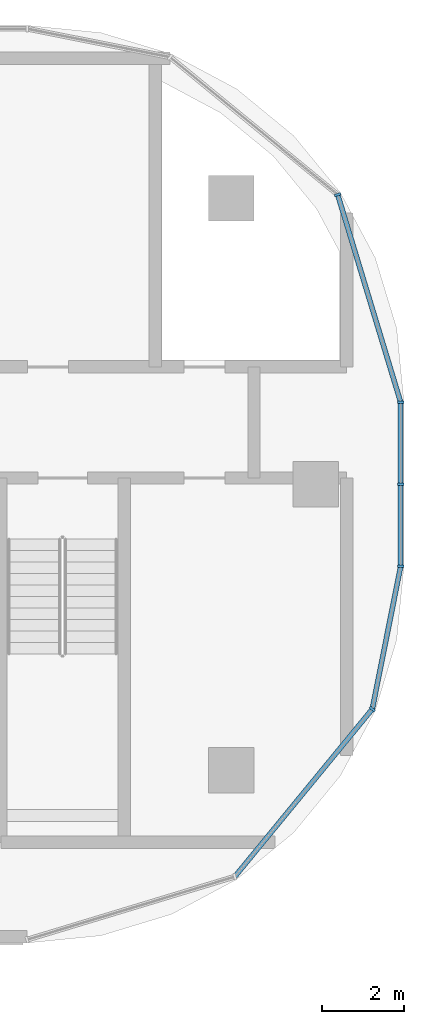
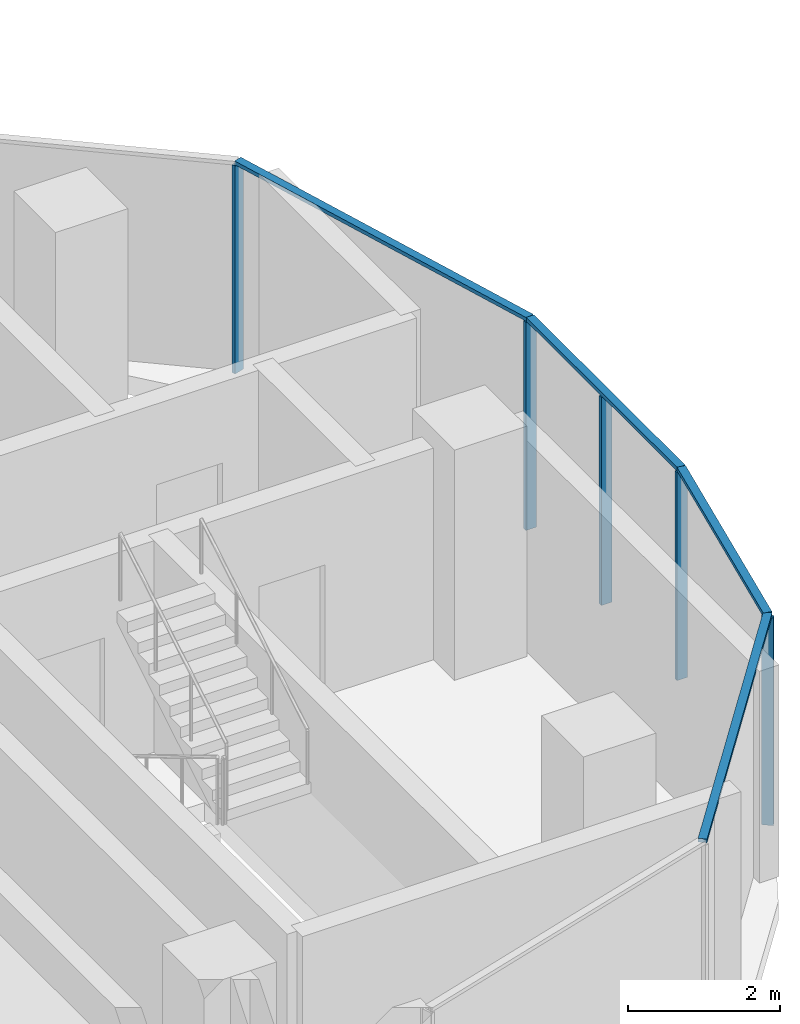
# One storey, part 8 of 23: 9 members, 3 elements without a shape of their own.
"""IFC4 building model written with IfcOpenShell, lengths in metres."""

from ifc_helpers import new_model, si_unit, direction, frame, origin, origin_2d, place, context, subcontext, project, spatial, rectangle, extrude, material, material_profile, profile_set, type_object, element, aggregate, save


model = new_model("IFC4")

# Units and contexts
model_context = context("Model", 3, precision=1e-05, world=origin(), true_north=direction((0.0, 1.0)))
body_context = subcontext(model_context, "Body", "Model", "MODEL_VIEW")
ifc_project = project(units=[si_unit("LENGTHUNIT", "METRE"), si_unit("AREAUNIT", "SQUARE_METRE"), si_unit("VOLUMEUNIT", "CUBIC_METRE"), si_unit("PLANEANGLEUNIT", "RADIAN"), si_unit("MASSUNIT", "GRAM", prefix="KILO")], contexts=[model_context])

# Site, building, storey
site_placement = place(None, origin())
site = spatial("IfcSite", under=ifc_project, at=site_placement, CompositionType="ELEMENT")
building_placement = place(site_placement, origin())
building = spatial("IfcBuilding", under=site, at=building_placement, Name="Ogive Portal Towers", CompositionType="ELEMENT")
storey_placement = place(building_placement, frame((0.0, 0.0, 175.5)))
storey = spatial("IfcBuildingStorey", under=building, at=storey_placement, Name="L43", CompositionType="ELEMENT", Elevation=175.5)

# Curtain wall, members
ifc_material_1 = material(Name="Glass, clear low-iron insulated glazing", Category="glass")
curtain_wall_type = type_object("IfcCurtainWallType", Name="CW FRONT RIBBON 4500", PredefinedType="NOTDEFINED", material=ifc_material_1)
curtain_wall_1_placement = place(storey_placement, origin())
curtain_wall_1 = element("IfcCurtainWall", 1, at=curtain_wall_1_placement, inside=storey, type_object=curtain_wall_type, Name="A:L43:f30:cw0", PredefinedType="NOTDEFINED")
ifc_material_2 = material(Name="Aluminium 6063 anodised", Category="aluminium")
ifc_material_profile_1 = material_profile(ifc_material_2, rectangle(XDim=0.159912109375, YDim=0.06005859375, at=origin_2d()), Name="AL 60x160")
ifc_profile_set_1 = profile_set([ifc_material_profile_1], Name="Aluminium 6063 anodised")
member_type_1 = type_object("IfcMemberType", Name="CW MULLION 60x160", PredefinedType="MULLION", material=ifc_profile_set_1)
member_1_placement = place(storey_placement, frame((96.56494140625, 28.5078125, 0.0), z_axis=(0.0, 0.0, 1.0), x_axis=(-1.0, 0.0, 0.0)))
member_1 = element("IfcMember", 2, at=member_1_placement, type_object=member_type_1, Name="mullion", PredefinedType="MULLION", context=body_context, shape_type="SweptSolid", body=[
    extrude(rectangle(XDim=0.159912109375, YDim=0.06005859375, at=origin_2d()), origin(), (0.0, 0.0, 1.0), 3.340087890625),
])
member_2_placement = place(storey_placement, frame((96.56494140625, 30.5, 0.0), z_axis=(0.0, 0.0, 1.0), x_axis=(-1.0, 0.0, 0.0)))
member_2 = element("IfcMember", 3, at=member_2_placement, type_object=member_type_1, Name="mullion", PredefinedType="MULLION", context=body_context, shape_type="SweptSolid", body=[
    extrude(rectangle(XDim=0.159912109375, YDim=0.06005859375, at=origin_2d()), origin(), (0.0, 0.0, 1.0), 3.340087890625),
])
member_3_placement = place(storey_placement, frame((96.56494140625, 32.488037109375, 0.0), z_axis=(0.0, 0.0, 1.0), x_axis=(-1.0, 0.0, 0.0)))
member_3 = element("IfcMember", 4, at=member_3_placement, type_object=member_type_1, Name="mullion", PredefinedType="MULLION", context=body_context, shape_type="SweptSolid", body=[
    extrude(rectangle(XDim=0.159912109375, YDim=0.06005859375, at=origin_2d()), origin(), (0.0, 0.0, 1.0), 3.340087890625),
])

# Curtain wall, member
curtain_wall_2_placement = place(storey_placement, origin())
curtain_wall_2 = element("IfcCurtainWall", 5, at=curtain_wall_2_placement, inside=storey, type_object=curtain_wall_type, Name="A:L43:f27:cwa", PredefinedType="NOTDEFINED")
member_4_placement = place(storey_placement, frame((95.874267578125, 25.03564453125, 0.0), z_axis=(0.0, 0.0, 1.0), x_axis=(-0.773010453363, 0.634393284164, 0.0)))
member_4 = element("IfcMember", 6, at=member_4_placement, type_object=member_type_1, Name="mullion", PredefinedType="MULLION", context=body_context, shape_type="SweptSolid", body=[
    extrude(rectangle(XDim=0.159912109375, YDim=0.06005859375, at=origin_2d()), origin(), (0.0, 0.0, 1.0), 3.340087890625),
])

curtain_wall_3_placement = place(storey_placement, origin())
curtain_wall_3 = element("IfcCurtainWall", 7, at=curtain_wall_3_placement, inside=storey, type_object=curtain_wall_type, Name="A:L43:f31:cwa", PredefinedType="NOTDEFINED")
member_5_placement = place(storey_placement, frame((95.0341796875, 37.5341796875, 0.0), z_axis=(0.0, 0.0, 1.0), x_axis=(-0.956940335732, -0.290284677254, 0.0)))
member_5 = element("IfcMember", 8, at=member_5_placement, type_object=member_type_1, Name="mullion", PredefinedType="MULLION", context=body_context, shape_type="SweptSolid", body=[
    extrude(rectangle(XDim=0.159912109375, YDim=0.06005859375, at=origin_2d()), origin(), (0.0, 0.0, 1.0), 3.340087890625),
])

# Member
ifc_material_profile_2 = material_profile(ifc_material_2, rectangle(XDim=0.1201171875, YDim=0.06005859375, at=origin_2d()), Name="AL 120x60")
ifc_profile_set_2 = profile_set([ifc_material_profile_2], Name="Aluminium 6063 anodised")
member_type_2 = type_object("IfcMemberType", Name="CW TRANSOM 60x120", PredefinedType="USERDEFINED", material=ifc_profile_set_2)
member_6_placement = place(storey_placement, frame((96.56494140625, 28.5078125, 3.3701171875), z_axis=(0.0, 1.0, 0.0), x_axis=(-1.0, 0.0, 0.0)))
member_6 = element("IfcMember", 9, at=member_6_placement, type_object=member_type_2, Name="transom", ObjectType="TRANSOM", PredefinedType="USERDEFINED", context=body_context, shape_type="SweptSolid", body=[
    extrude(rectangle(XDim=0.1201171875, YDim=0.06005859375, at=origin_2d()), origin(), (0.0, 0.0, 1.0), 3.980224609375),
])

aggregate(curtain_wall_1, [member_6, member_1, member_2, member_3])

member_7_placement = place(storey_placement, frame((92.5341796875, 20.9658203125, 3.3701171875), z_axis=(0.634401168845, 0.773003982505, 0.0), x_axis=(-0.773003982505, 0.634401168845, 0.0)))
member_7 = element("IfcMember", 10, at=member_7_placement, type_object=member_type_2, Name="transom", ObjectType="TRANSOM", PredefinedType="USERDEFINED", context=body_context, shape_type="SweptSolid", body=[
    extrude(rectangle(XDim=0.1201171875, YDim=0.06005859375, at=origin_2d()), origin(), (0.0, 0.0, 1.0), 5.264892578125),
])

member_8_placement = place(storey_placement, frame((95.874267578125, 25.03564453125, 3.3701171875), z_axis=(0.195094853621, 0.980784379, 0.0), x_axis=(-0.980784379, 0.195094853621, 0.0)))
member_8 = element("IfcMember", 11, at=member_8_placement, type_object=member_type_2, Name="transom", ObjectType="TRANSOM", PredefinedType="USERDEFINED", context=body_context, shape_type="SweptSolid", body=[
    extrude(rectangle(XDim=0.1201171875, YDim=0.06005859375, at=origin_2d()), origin(), (0.0, 0.0, 1.0), 3.540283203125),
])

aggregate(curtain_wall_2, [member_7, member_8, member_4])

member_9_placement = place(storey_placement, frame((96.56494140625, 32.488037109375, 3.3701171875), z_axis=(-0.290290078471, 0.956938697275, 0.0), x_axis=(-0.956938697275, -0.290290078471, 0.0)))
member_9 = element("IfcMember", 12, at=member_9_placement, type_object=member_type_2, Name="transom", ObjectType="TRANSOM", PredefinedType="USERDEFINED", context=body_context, shape_type="SweptSolid", body=[
    extrude(rectangle(XDim=0.1201171875, YDim=0.06005859375, at=origin_2d()), origin(), (0.0, 0.0, 1.0), 5.273193359375),
])

aggregate(curtain_wall_3, [member_9, member_5])

save(model, "model.ifc")
